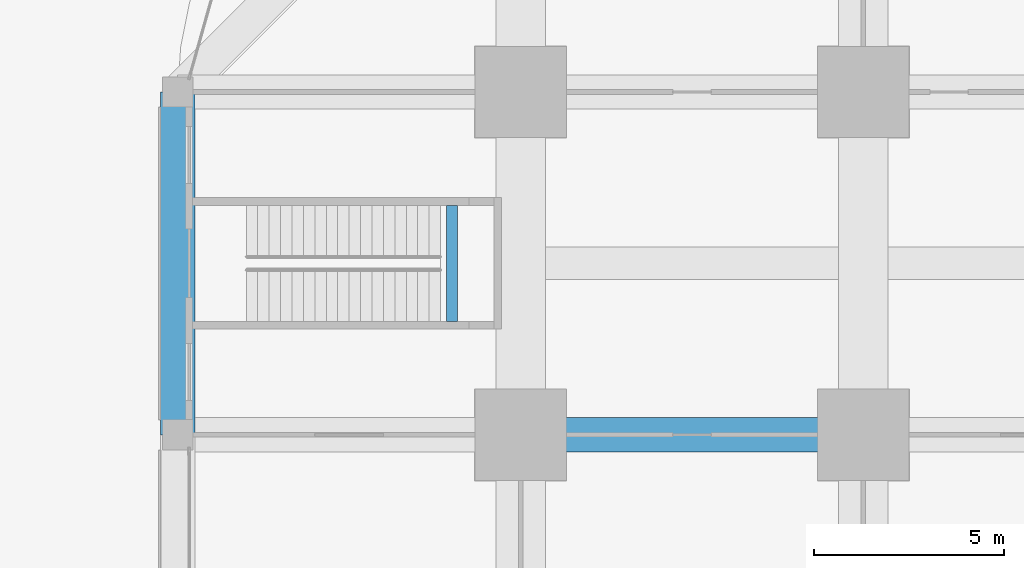
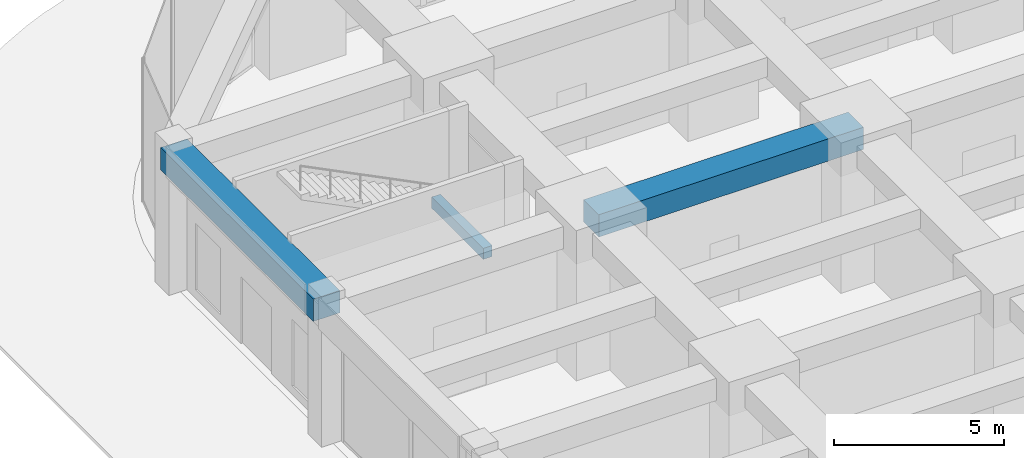
# One storey, part 18 of 56: 3 beams.
"""IFC4 building model written with IfcOpenShell, lengths in metres."""

from ifc_helpers import new_model, si_unit, direction, frame, origin, origin_2d, place, context, subcontext, project, spatial, rectangle, extrude, material, material_profile, profile_set, type_object, element, save


model = new_model("IFC4")

# Units and contexts
model_context = context("Model", 3, precision=1e-05, world=origin(), true_north=direction((0.0, 1.0)))
body_context = subcontext(model_context, "Body", "Model", "MODEL_VIEW")
ifc_project = project(units=[si_unit("LENGTHUNIT", "METRE"), si_unit("AREAUNIT", "SQUARE_METRE"), si_unit("VOLUMEUNIT", "CUBIC_METRE"), si_unit("PLANEANGLEUNIT", "RADIAN"), si_unit("MASSUNIT", "GRAM", prefix="KILO")], contexts=[model_context])

# Site, building, storey
site_placement = place(None, origin())
site = spatial("IfcSite", under=ifc_project, at=site_placement, CompositionType="ELEMENT")
building_placement = place(site_placement, origin())
building = spatial("IfcBuilding", under=site, at=building_placement, Name="Zorevar Civic Tower", CompositionType="ELEMENT")
storey_placement = place(building_placement, origin())
storey = spatial("IfcBuildingStorey", under=building, at=storey_placement, Name="L00", CompositionType="ELEMENT", Elevation=0.0)

# Beams
ifc_material_1 = material(Name="Concrete C50/60", Category="concrete")
ifc_material_profile_1 = material_profile(ifc_material_1, rectangle(XDim=0.89990234375, YDim=0.800048828125, at=origin_2d()), Name="RC 900x800")
ifc_profile_set_1 = profile_set([ifc_material_profile_1], Name="Concrete C50/60")
beam_type_1 = type_object("IfcBeamType", Name="Beam RC 900x800", PredefinedType="BEAM", material=ifc_profile_set_1)
beam_1_placement = place(storey_placement, frame((0.0, 36.0, 4.699951171875), z_axis=(1.0, 0.0, 0.0), x_axis=(0.0, 1.0, 0.0)))
element("IfcBeam", 1, at=beam_1_placement, inside=storey, type_object=beam_type_1, Name="Girder L01", PredefinedType="BEAM", context=body_context, shape_type="SweptSolid", body=[
    extrude(rectangle(XDim=0.89990234375, YDim=0.800048828125, at=origin_2d()), origin(), (0.0, 0.0, 1.0), 9.0),
])
ifc_material_2 = material(Name="Concrete C50/60", Category="concrete")
ifc_material_profile_2 = material_profile(ifc_material_2, rectangle(XDim=0.89990234375, YDim=0.800048828125, at=origin_2d()), Name="RC 900x800")
ifc_profile_set_2 = profile_set([ifc_material_profile_2], Name="Concrete C50/60")
beam_type_2 = type_object("IfcBeamType", Name="Edge beam RC 900x800", PredefinedType="SPANDREL", material=ifc_profile_set_2)
beam_2_placement = place(storey_placement, frame((-9.0, 36.0, 4.699951171875), z_axis=(0.0, 1.0, 0.0), x_axis=(-1.0, 0.0, 0.0)))
element("IfcBeam", 2, at=beam_2_placement, inside=storey, type_object=beam_type_2, Name="Edge beam L01", PredefinedType="SPANDREL", context=body_context, shape_type="SweptSolid", body=[
    extrude(rectangle(XDim=0.89990234375, YDim=0.800048828125, at=origin_2d()), origin(), (0.0, 0.0, 1.0), 9.0),
])
ifc_material_3 = material(Name="Concrete C30/37", Category="concrete")
ifc_material_profile_3 = material_profile(ifc_material_3, rectangle(XDim=0.300048828125, YDim=0.39990234375, at=origin_2d()), Name="RC 300x400")
ifc_profile_set_3 = profile_set([ifc_material_profile_3], Name="Concrete C30/37")
beam_type_3 = type_object("IfcBeamType", Name="Landing beam RC 300x400", PredefinedType="BEAM", material=ifc_profile_set_3)
beam_3_placement = place(storey_placement, frame((-1.800048828125, 38.97509765625, 2.300048828125), z_axis=(0.0, 1.0, 0.0), x_axis=(-1.0, 0.0, 0.0)))
element("IfcBeam", 3, at=beam_3_placement, inside=storey, type_object=beam_type_3, Name="Landing beam PS1 L00", PredefinedType="BEAM", context=body_context, shape_type="SweptSolid", body=[
    extrude(rectangle(XDim=0.300048828125, YDim=0.39990234375, at=origin_2d()), origin(), (0.0, 0.0, 1.0), 3.0498046875),
])

save(model, "model.ifc")
